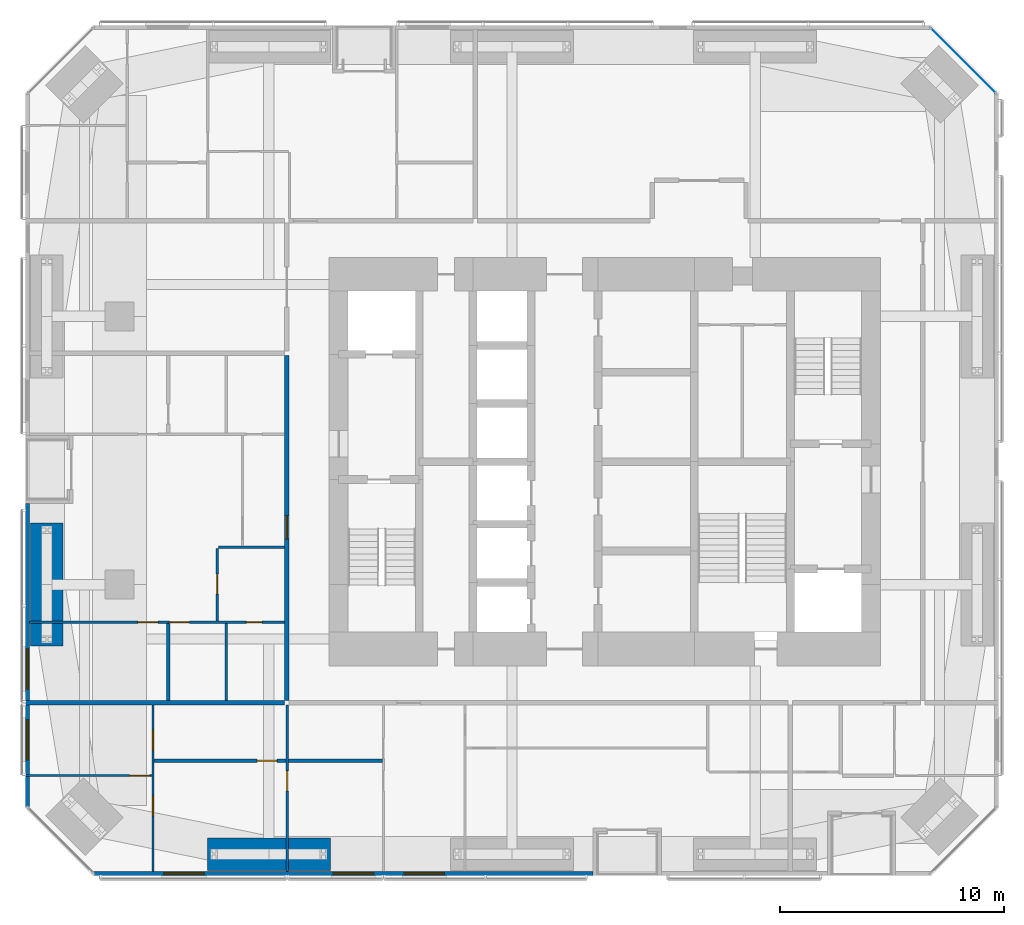
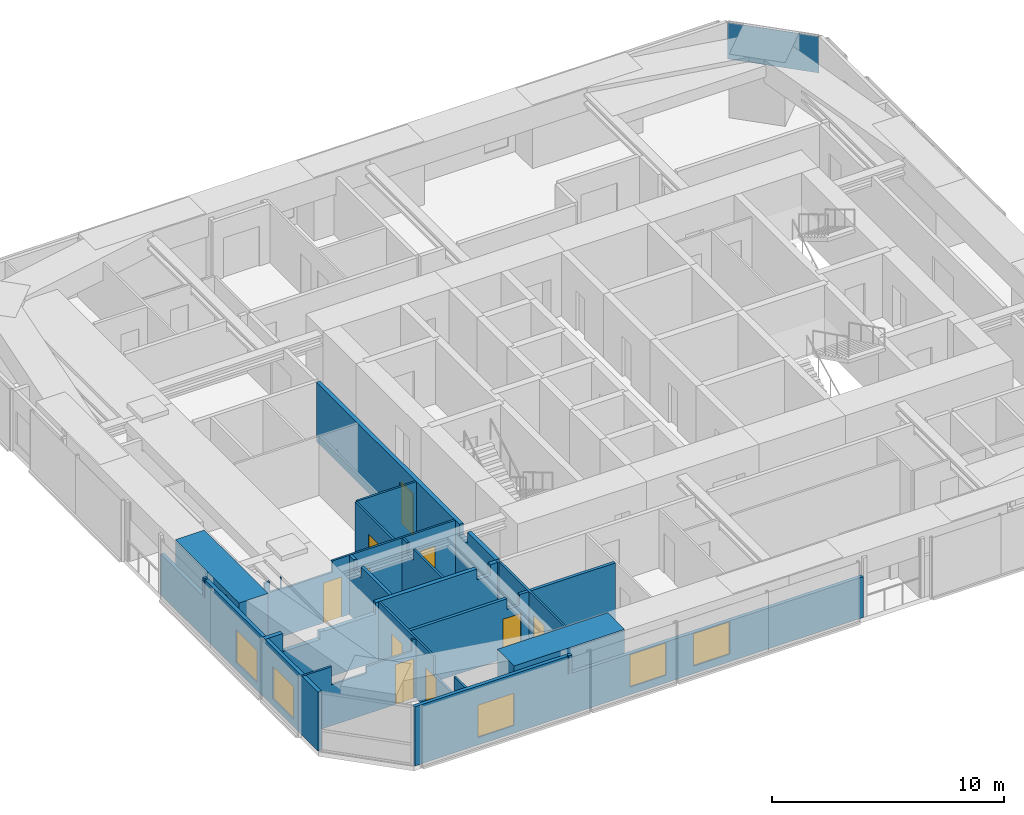
# One storey, part 17 of 24: 16 walls, 10 doors, 5 windows, 1 plate, 15 openings, 1 element without a shape of its own.
"""IFC4 building model written with IfcOpenShell, lengths in metres."""

from ifc_helpers import new_model, si_unit, direction, frame, frame_2d, origin, origin_2d, place, context, subcontext, project, spatial, polyline, rectangle, outline, extrude, material, layer, layer_set, constituent, constituent_set, type_object, element, fill, aggregate, save


model = new_model("IFC4")

# Units and contexts
model_context = context("Model", 3, precision=1e-05, world=origin(), true_north=direction((0.0, 1.0)))
body_context = subcontext(model_context, "Body", "Model", "MODEL_VIEW")
ifc_project = project(units=[si_unit("LENGTHUNIT", "METRE"), si_unit("AREAUNIT", "SQUARE_METRE"), si_unit("VOLUMEUNIT", "CUBIC_METRE"), si_unit("PLANEANGLEUNIT", "RADIAN"), si_unit("MASSUNIT", "GRAM", prefix="KILO")], contexts=[model_context])

# Site, building, storey
site_placement = place(None, origin())
site = spatial("IfcSite", under=ifc_project, at=site_placement, CompositionType="ELEMENT")
building_placement = place(site_placement, origin())
building = spatial("IfcBuilding", under=site, at=building_placement, Name="Jalousie Tower", CompositionType="ELEMENT")
storey_placement = place(building_placement, frame((0.0, 0.0, 135.0)))
storey = spatial("IfcBuildingStorey", under=building, at=storey_placement, Name="L37", CompositionType="ELEMENT", Elevation=135.0)

# Curtain wall, plate
ifc_material_1 = material(Name="Aluminium curtain wall", Category="aluminium")
curtain_wall_type = type_object("IfcCurtainWallType", Name="CORNER WINDOW WALL", PredefinedType="USERDEFINED", material=ifc_material_1)
curtain_wall_placement = place(storey_placement, origin())
curtain_wall = element("IfcCurtainWall", 1, at=curtain_wall_placement, inside=storey, type_object=curtain_wall_type, Name="Corner Window Wall L37 4", ObjectType="CORNER WINDOW WALL", PredefinedType="USERDEFINED")
ifc_material_2 = material(Name="Laminated impact-rated spandrel glass", Category="glass")
ifc_layer_1 = layer(ifc_material_2, 0.028076171875)
ifc_layer_set_1 = layer_set([ifc_layer_1], Name="Laminated impact-rated spandrel glass")
plate_type = type_object("IfcPlateType", Name="CORNER WINDOW WALL PANEL", PredefinedType="CURTAIN_PANEL", material=ifc_layer_set_1)
plate_placement = place(storey_placement, frame((47.9306640625, 36.4306640625, 1.130126953125), z_axis=(0.0, 0.0, 1.0), x_axis=(-0.707106781187, 0.707106781187, 0.0)))
plate = element("IfcPlate", 2, at=plate_placement, type_object=plate_type, Name="CW-C panel 1.2", PredefinedType="CURTAIN_PANEL", context=body_context, shape_type="SweptSolid", body=[
    extrude(rectangle(XDim=4.071533203125, YDim=0.028076171875, at=origin_2d()), origin(), (0.0, 0.0, 1.0), 1.919921875),
])
aggregate(curtain_wall, [plate])

# Wall, opening, door
ifc_material_3 = material(Name="Concrete block ASTM C90", Category="concrete")
ifc_constituent_1 = constituent(ifc_material_3, Name="Body")
ifc_material_4 = material(Name="Render")
ifc_constituent_2 = constituent(ifc_material_4, Name="Finish")
ifc_constituent_set_1 = constituent_set(constituents=[ifc_constituent_1, ifc_constituent_2])
wall_type_1 = type_object("IfcWallType", Name="BATHROOM WALL 150", PredefinedType="PLUMBINGWALL", material=ifc_constituent_set_1)
wall_1_placement = place(storey_placement, frame((11.75, 5.125, 0.0), z_axis=(0.0, 0.0, 1.0), x_axis=(1.0, 0.0, 0.0)))
wall_1 = element("IfcWall", 3, at=wall_1_placement, inside=storey, type_object=wall_type_1, Name="Bathroom Wall 150 L37", PredefinedType="PLUMBINGWALL", context=body_context, shape_type="SweptSolid", body=[
    extrude(outline(polyline([(0.0, 0.0), (5.89990234375, 0.0), (5.89990234375, 3.110107421875), (5.4375, 3.110107421875), (5.4375, 2.541015625), (4.8125, 2.541015625), (4.8125, 3.110107421875), (0.0, 3.110107421875), (0.0, 0.0)])), frame((0.0, 0.074951171875, 0.0), z_axis=(0.0, -1.0, 0.0), x_axis=(1.0, 0.0, 0.0)), (0.0, 0.0, 1.0), 0.14990234375),
])
opening_1_placement = place(wall_1_placement, frame((4.60009765625, 0.0, 0.0)))
opening_1 = element("IfcOpeningElement", 4, at=opening_1_placement, cuts=wall_1, Name="Opening D3", PredefinedType="OPENING", context=body_context, shape_type="SweptSolid", body=[
    extrude(rectangle(XDim=0.89990234375, YDim=2.10009765625, at=frame_2d((0.449951171875, 1.050048828125))), frame((0.0, 0.0849609375, 0.0), z_axis=(0.0, -1.0, 0.0), x_axis=(1.0, 0.0, 0.0)), (0.0, 0.0, 1.0), 0.169921875),
])
ifc_material_5 = material(Name="Timber door", Category="wood")
door_type_1 = type_object("IfcDoorType", Name="BATHROOM DOOR 900", OperationType="SINGLE_SWING_LEFT", PredefinedType="DOOR", material=ifc_material_5)
door_1_placement = place(opening_1_placement, origin())
door_1 = element("IfcDoor", 5, at=door_1_placement, inside=storey, type_object=door_type_1, Name="Apartment 3701 bedroom 2 bathroom door", OperationType="SINGLE_SWING_RIGHT", OverallHeight=2.10009765625, OverallWidth=0.89990234375, PredefinedType="DOOR", context=body_context, shape_type="SweptSolid", body=[
    extrude(rectangle(XDim=0.89990234375, YDim=2.10009765625, at=frame_2d((0.449951171875, 1.050048828125))), frame((0.0, 0.02490234375, 0.0), z_axis=(0.0, -1.0, 0.0), x_axis=(1.0, 0.0, 0.0)), (0.0, 0.0, 1.0), 0.050048828125),
])
fill(opening_1, door_1)

# Walls
wall_2_placement = place(storey_placement, frame((17.75, 5.125, 0.0), z_axis=(0.0, 0.0, 1.0), x_axis=(1.0, 0.0, 0.0)))
element("IfcWall", 6, at=wall_2_placement, inside=storey, type_object=wall_type_1, Name="Bathroom Wall 150 L37", PredefinedType="PLUMBINGWALL", context=body_context, shape_type="SweptSolid", body=[
    extrude(rectangle(XDim=4.199951171875, YDim=0.14990234375, at=frame_2d((2.10009765625, 0.0))), origin(), (0.0, 0.0, 1.0), 3.110107421875),
])
wall_3_placement = place(storey_placement, frame((12.375, 7.824951171875, 0.0), z_axis=(0.0, 0.0, 1.0), x_axis=(0.0, 1.0, 0.0)))
element("IfcWall", 7, at=wall_3_placement, inside=storey, type_object=wall_type_1, Name="Bathroom Wall 150 L37", PredefinedType="PLUMBINGWALL", context=body_context, shape_type="SweptSolid", body=[
    extrude(outline(polyline([(0.0, 0.0), (3.449951171875, 0.0), (3.449951171875, 3.110107421875), (3.0625, 3.110107421875), (3.0625, 2.541015625), (2.4375, 2.541015625), (2.4375, 3.110107421875), (0.0, 3.110107421875), (0.0, 0.0)])), frame((0.0, 0.074951171875, 0.0), z_axis=(0.0, -1.0, 0.0), x_axis=(1.0, 0.0, 0.0)), (0.0, 0.0, 1.0), 0.14990234375),
])

# Wall, opening, door
ifc_material_6 = material(Name="Concrete block ASTM C90", Category="concrete")
ifc_constituent_3 = constituent(ifc_material_6, Name="Body")
ifc_material_7 = material(Name="Render")
ifc_constituent_4 = constituent(ifc_material_7, Name="Finish")
ifc_constituent_set_2 = constituent_set(constituents=[ifc_constituent_3, ifc_constituent_4])
wall_type_2 = type_object("IfcWallType", Name="CORRIDOR WALL 200", PredefinedType="PARTITIONING", material=ifc_constituent_set_2)
wall_4_placement = place(storey_placement, frame((17.675048828125, 7.824951171875, 0.0), z_axis=(0.0, 0.0, 1.0), x_axis=(0.0, 1.0, 0.0)))
wall_4 = element("IfcWall", 8, at=wall_4_placement, inside=storey, type_object=wall_type_2, Name="Corridor Wall 200 L37", PredefinedType="PARTITIONING", context=body_context, shape_type="SweptSolid", body=[
    extrude(outline(polyline([(0.0, 0.0), (15.425048828125, 0.0), (15.425048828125, 3.110107421875), (3.08740234375, 3.110107421875), (3.08740234375, 2.541015625), (2.41259765625, 2.541015625), (2.41259765625, 3.110107421875), (0.0, 3.110107421875), (0.0, 0.0)])), frame((0.0, 0.10009765625, 0.0), z_axis=(0.0, -1.0, 0.0), x_axis=(1.0, 0.0, 0.0)), (0.0, 0.0, 1.0), 0.199951171875),
])
opening_2_placement = place(wall_4_placement, frame((7.21240234375, 0.0, 0.0)))
opening_2 = element("IfcOpeningElement", 9, at=opening_2_placement, cuts=wall_4, Name="Opening D1", PredefinedType="OPENING", context=body_context, shape_type="SweptSolid", body=[
    extrude(rectangle(XDim=1.050048828125, YDim=2.199951171875, at=frame_2d((0.52490234375, 1.10009765625))), frame((0.0, 0.10986328125, 0.0), z_axis=(0.0, -1.0, 0.0), x_axis=(1.0, 0.0, 0.0)), (0.0, 0.0, 1.0), 0.219970703125),
])
ifc_material_8 = material(Name="Timber fire door", Category="wood")
door_type_2 = type_object("IfcDoorType", Name="APARTMENT ENTRANCE DOOR 1050", OperationType="SINGLE_SWING_LEFT", PredefinedType="DOOR", material=ifc_material_8)
door_2_placement = place(opening_2_placement, origin())
door_2 = element("IfcDoor", 10, at=door_2_placement, inside=storey, type_object=door_type_2, Name="Apartment 3704 entrance", OperationType="SINGLE_SWING_LEFT", OverallHeight=2.199951171875, OverallWidth=1.050048828125, PredefinedType="DOOR", context=body_context, shape_type="SweptSolid", body=[
    extrude(rectangle(XDim=1.050048828125, YDim=2.199951171875, at=frame_2d((0.52490234375, 1.10009765625))), frame((0.0, 0.02490234375, 0.0), z_axis=(0.0, -1.0, 0.0), x_axis=(1.0, 0.0, 0.0)), (0.0, 0.0, 1.0), 0.050048828125),
])
fill(opening_2, door_2)

# Wall, openings, windows
ifc_material_9 = material(Name="Concrete f'c 40 MPa", Category="concrete")
ifc_constituent_5 = constituent(ifc_material_9, Name="Body")
ifc_material_10 = material(Name="Render, pastel sea green")
ifc_constituent_6 = constituent(ifc_material_10, Name="Finish")
ifc_constituent_set_3 = constituent_set(constituents=[ifc_constituent_5, ifc_constituent_6])
wall_type_3 = type_object("IfcWallType", Name="EXTERNAL WALL 175 SEA GREEN RENDER", PredefinedType="SOLIDWALL", material=ifc_constituent_set_3)
wall_5_placement = place(storey_placement, frame((9.05126953125, 0.08740234375, 0.0), z_axis=(0.0, 0.0, 1.0), x_axis=(1.0, 0.0, 0.0)))
wall_5 = element("IfcWall", 11, at=wall_5_placement, inside=storey, type_object=wall_type_3, Name="External Wall 175 Sea Green Render L37", PredefinedType="SOLIDWALL", context=body_context, shape_type="SweptSolid", body=[
    extrude(outline(polyline([(0.0, 0.0), (22.32373046875, 0.0), (22.32373046875, 2.14990234375), (7.82373046875, 2.14990234375), (7.82373046875, 3.110107421875), (7.66552734375, 3.110107421875), (7.66552734375, 2.14990234375), (7.620361328125, 2.14990234375), (7.620361328125, 3.110107421875), (0.0, 3.110107421875), (0.0, 0.0)])), frame((0.0, 0.08740234375, 0.0), z_axis=(0.0, -1.0, 0.0), x_axis=(1.0, 0.0, 0.0)), (0.0, 0.0, 1.0), 0.175048828125),
])
opening_3_placement = place(wall_5_placement, frame((3.1337890625, 0.0, 0.39990234375)))
opening_3 = element("IfcOpeningElement", 12, at=opening_3_placement, cuts=wall_5, Name="Opening W-BED170", PredefinedType="OPENING", context=body_context, shape_type="SweptSolid", body=[
    extrude(rectangle(XDim=1.800048828125, YDim=1.699951171875, at=frame_2d((0.89990234375, 0.85009765625))), frame((0.0, 0.097412109375, 0.0), z_axis=(0.0, -1.0, 0.0), x_axis=(1.0, 0.0, 0.0)), (0.0, 0.0, 1.0), 0.195068359375),
])
opening_4_placement = place(wall_5_placement, frame((10.706298828125, 0.0, 0.39990234375)))
opening_4 = element("IfcOpeningElement", 13, at=opening_4_placement, cuts=wall_5, Name="Opening W-BED170", PredefinedType="OPENING", context=body_context, shape_type="SweptSolid", body=[
    extrude(rectangle(XDim=1.800048828125, YDim=1.699951171875, at=frame_2d((0.89990234375, 0.85009765625))), frame((0.0, 0.097412109375, 0.0), z_axis=(0.0, -1.0, 0.0), x_axis=(1.0, 0.0, 0.0)), (0.0, 0.0, 1.0), 0.195068359375),
])
opening_5_placement = place(wall_5_placement, frame((13.873779296875, 0.0, 0.39990234375)))
opening_5 = element("IfcOpeningElement", 14, at=opening_5_placement, cuts=wall_5, Name="Opening W-BED170", PredefinedType="OPENING", context=body_context, shape_type="SweptSolid", body=[
    extrude(rectangle(XDim=1.800048828125, YDim=1.699951171875, at=frame_2d((0.89990234375, 0.85009765625))), frame((0.0, 0.097412109375, 0.0), z_axis=(0.0, -1.0, 0.0), x_axis=(1.0, 0.0, 0.0)), (0.0, 0.0, 1.0), 0.195068359375),
])
ifc_material_11 = material(Name="Aluminium frame, impact-rated glazing", Category="aluminium")
window_type = type_object("IfcWindowType", Name="WINDOW BED 1800x1700", PartitioningType="SINGLE_PANEL", PredefinedType="WINDOW", material=ifc_material_11)
window_1_placement = place(opening_3_placement, origin())
window_1 = element("IfcWindow", 15, at=window_1_placement, inside=storey, type_object=window_type, Name="Apartment 3701 bedroom 2 window", OverallHeight=1.699951171875, OverallWidth=1.800048828125, PartitioningType="SINGLE_PANEL", PredefinedType="WINDOW", context=body_context, shape_type="SweptSolid", body=[
    extrude(rectangle(XDim=1.800048828125, YDim=1.699951171875, at=frame_2d((0.89990234375, 0.85009765625))), frame((0.0, 0.030029296875, 0.0), z_axis=(0.0, -1.0, 0.0), x_axis=(1.0, 0.0, 0.0)), (0.0, 0.0, 1.0), 0.06005859375),
])
fill(opening_3, window_1)
window_2_placement = place(opening_4_placement, origin())
window_2 = element("IfcWindow", 16, at=window_2_placement, inside=storey, type_object=window_type, Name="Apartment 3701 bedroom 3 window", OverallHeight=1.699951171875, OverallWidth=1.800048828125, PartitioningType="SINGLE_PANEL", PredefinedType="WINDOW", context=body_context, shape_type="SweptSolid", body=[
    extrude(rectangle(XDim=1.800048828125, YDim=1.699951171875, at=frame_2d((0.89990234375, 0.85009765625))), frame((0.0, 0.030029296875, 0.0), z_axis=(0.0, -1.0, 0.0), x_axis=(1.0, 0.0, 0.0)), (0.0, 0.0, 1.0), 0.06005859375),
])
fill(opening_4, window_2)
window_3_placement = place(opening_5_placement, origin())
window_3 = element("IfcWindow", 17, at=window_3_placement, inside=storey, type_object=window_type, Name="Apartment 3701 study window", OverallHeight=1.699951171875, OverallWidth=1.800048828125, PartitioningType="SINGLE_PANEL", PredefinedType="WINDOW", context=body_context, shape_type="SweptSolid", body=[
    extrude(rectangle(XDim=1.800048828125, YDim=1.699951171875, at=frame_2d((0.89990234375, 0.85009765625))), frame((0.0, 0.030029296875, 0.0), z_axis=(0.0, -1.0, 0.0), x_axis=(1.0, 0.0, 0.0)), (0.0, 0.0, 1.0), 0.06005859375),
])
fill(opening_5, window_3)

wall_6_placement = place(storey_placement, frame((6.08740234375, 16.625, 0.0), z_axis=(0.0, 0.0, 1.0), x_axis=(0.0, -1.0, 0.0)))
wall_6 = element("IfcWall", 18, at=wall_6_placement, inside=storey, type_object=wall_type_3, Name="External Wall 175 Sea Green Render L37", PredefinedType="SOLIDWALL", context=body_context, shape_type="SweptSolid", body=[
    extrude(outline(polyline([(0.0, 0.0), (13.57373046875, 0.0), (13.57373046875, 3.110107421875), (3.843505859375, 3.110107421875), (3.843505859375, 2.14990234375), (3.750732421875, 2.14990234375), (3.750732421875, 3.110107421875), (3.625, 3.110107421875), (3.625, 2.14990234375), (0.0, 2.14990234375), (0.0, 0.0)])), frame((0.0, 0.08740234375, 0.0), z_axis=(0.0, -1.0, 0.0), x_axis=(1.0, 0.0, 0.0)), (0.0, 0.0, 1.0), 0.175048828125),
])
opening_6_placement = place(wall_6_placement, frame((6.5, 0.0, 0.39990234375)))
opening_6 = element("IfcOpeningElement", 19, at=opening_6_placement, cuts=wall_6, Name="Opening W-BED170", PredefinedType="OPENING", context=body_context, shape_type="SweptSolid", body=[
    extrude(rectangle(XDim=1.800048828125, YDim=1.699951171875, at=frame_2d((0.89990234375, 0.85009765625))), frame((0.0, 0.097412109375, 0.0), z_axis=(0.0, -1.0, 0.0), x_axis=(1.0, 0.0, 0.0)), (0.0, 0.0, 1.0), 0.195068359375),
])
opening_7_placement = place(wall_6_placement, frame((9.655517578125, 0.0, 0.39990234375)))
opening_7 = element("IfcOpeningElement", 20, at=opening_7_placement, cuts=wall_6, Name="Opening W-BED170", PredefinedType="OPENING", context=body_context, shape_type="SweptSolid", body=[
    extrude(rectangle(XDim=1.800048828125, YDim=1.699951171875, at=frame_2d((0.89990234375, 0.85009765625))), frame((0.0, 0.097412109375, 0.0), z_axis=(0.0, -1.0, 0.0), x_axis=(1.0, 0.0, 0.0)), (0.0, 0.0, 1.0), 0.195068359375),
])
window_4_placement = place(opening_6_placement, origin())
window_4 = element("IfcWindow", 21, at=window_4_placement, inside=storey, type_object=window_type, Name="Apartment 3704 bedroom 1 window", OverallHeight=1.699951171875, OverallWidth=1.800048828125, PartitioningType="SINGLE_PANEL", PredefinedType="WINDOW", context=body_context, shape_type="SweptSolid", body=[
    extrude(rectangle(XDim=1.800048828125, YDim=1.699951171875, at=frame_2d((0.89990234375, 0.85009765625))), frame((0.0, 0.030029296875, 0.0), z_axis=(0.0, -1.0, 0.0), x_axis=(1.0, 0.0, 0.0)), (0.0, 0.0, 1.0), 0.06005859375),
])
fill(opening_6, window_4)
window_5_placement = place(opening_7_placement, origin())
window_5 = element("IfcWindow", 22, at=window_5_placement, inside=storey, type_object=window_type, Name="Apartment 3701 bedroom 1 window", OverallHeight=1.699951171875, OverallWidth=1.800048828125, PartitioningType="SINGLE_PANEL", PredefinedType="WINDOW", context=body_context, shape_type="SweptSolid", body=[
    extrude(rectangle(XDim=1.800048828125, YDim=1.699951171875, at=frame_2d((0.89990234375, 0.85009765625))), frame((0.0, 0.030029296875, 0.0), z_axis=(0.0, -1.0, 0.0), x_axis=(1.0, 0.0, 0.0)), (0.0, 0.0, 1.0), 0.06005859375),
])
fill(opening_7, window_5)

# Wall, openings, doors
ifc_material_12 = material(Name="Gypsum board", Category="gypsum")
ifc_constituent_7 = constituent(ifc_material_12, Name="Body")
ifc_material_13 = material(Name="Light-gauge steel studs ASTM A653 SS Grade 33", Category="steel")
ifc_constituent_8 = constituent(ifc_material_13, Name="Framing")
ifc_constituent_set_4 = constituent_set(constituents=[ifc_constituent_7, ifc_constituent_8])
wall_type_4 = type_object("IfcWallType", Name="PARTITION 100", PredefinedType="PARTITIONING", material=ifc_constituent_set_4)
wall_7_placement = place(storey_placement, frame((11.699951171875, 0.175048828125, 0.0), z_axis=(0.0, 0.0, 1.0), x_axis=(0.0, 1.0, 0.0)))
wall_7 = element("IfcWall", 23, at=wall_7_placement, inside=storey, type_object=wall_type_4, Name="Partition 100 L37", PredefinedType="PARTITIONING", context=body_context, shape_type="SweptSolid", body=[
    extrude(outline(polyline([(0.0, 0.0), (7.449951171875, 0.0), (7.449951171875, 3.110107421875), (2.708251953125, 3.110107421875), (2.708251953125, 2.14990234375), (0.952880859375, 2.14990234375), (0.952880859375, 3.110107421875), (0.0, 3.110107421875), (0.0, 0.0)])), frame((0.0, 0.050048828125, 0.0), z_axis=(0.0, -1.0, 0.0), x_axis=(1.0, 0.0, 0.0)), (0.0, 0.0, 1.0), 0.10009765625),
])
opening_8_placement = place(wall_7_placement, frame((2.48876953125, 0.0, 0.0)))
opening_8 = element("IfcOpeningElement", 24, at=opening_8_placement, cuts=wall_7, Name="Opening D2", PredefinedType="OPENING", context=body_context, shape_type="SweptSolid", body=[
    extrude(rectangle(XDim=0.89990234375, YDim=2.10009765625, at=frame_2d((0.449951171875, 1.050048828125))), frame((0.0, 0.06005859375, 0.0), z_axis=(0.0, -1.0, 0.0), x_axis=(1.0, 0.0, 0.0)), (0.0, 0.0, 1.0), 0.1201171875),
])
opening_9_placement = place(wall_7_placement, frame((5.41943359375, 0.0, 0.0)))
opening_9 = element("IfcOpeningElement", 25, at=opening_9_placement, cuts=wall_7, Name="Opening D3", PredefinedType="OPENING", context=body_context, shape_type="SweptSolid", body=[
    extrude(rectangle(XDim=0.89990234375, YDim=2.10009765625, at=frame_2d((0.449951171875, 1.050048828125))), frame((0.0, 0.06005859375, 0.0), z_axis=(0.0, -1.0, 0.0), x_axis=(1.0, 0.0, 0.0)), (0.0, 0.0, 1.0), 0.1201171875),
])
door_3_placement = place(opening_9_placement, frame((0.89990234375, 0.0, 0.0), z_axis=(0.0, 0.0, 1.0), x_axis=(-1.0, 0.0, 0.0)))
door_3 = element("IfcDoor", 26, at=door_3_placement, inside=storey, type_object=door_type_1, Name="Apartment 3701 bedroom 1 bathroom door", OperationType="SINGLE_SWING_RIGHT", OverallHeight=2.10009765625, OverallWidth=0.89990234375, PredefinedType="DOOR", context=body_context, shape_type="SweptSolid", body=[
    extrude(rectangle(XDim=0.89990234375, YDim=2.10009765625, at=frame_2d((0.449951171875, 1.050048828125))), frame((0.0, 0.02490234375, 0.0), z_axis=(0.0, -1.0, 0.0), x_axis=(1.0, 0.0, 0.0)), (0.0, 0.0, 1.0), 0.050048828125),
])
fill(opening_9, door_3)
ifc_material_14 = material(Name="Timber door", Category="wood")
door_type_3 = type_object("IfcDoorType", Name="BEDROOM DOOR 900", OperationType="SINGLE_SWING_LEFT", PredefinedType="DOOR", material=ifc_material_14)
door_4_placement = place(opening_8_placement, frame((0.89990234375, 0.0, 0.0), z_axis=(0.0, 0.0, 1.0), x_axis=(-1.0, 0.0, 0.0)))
door_4 = element("IfcDoor", 27, at=door_4_placement, inside=storey, type_object=door_type_3, Name="Apartment 3701 bedroom 1 door", OperationType="SINGLE_SWING_LEFT", OverallHeight=2.10009765625, OverallWidth=0.89990234375, PredefinedType="DOOR", context=body_context, shape_type="SweptSolid", body=[
    extrude(rectangle(XDim=0.89990234375, YDim=2.10009765625, at=frame_2d((0.449951171875, 1.050048828125))), frame((0.0, 0.02490234375, 0.0), z_axis=(0.0, -1.0, 0.0), x_axis=(1.0, 0.0, 0.0)), (0.0, 0.0, 1.0), 0.050048828125),
])
fill(opening_8, door_4)

# Wall, opening, door
wall_8_placement = place(storey_placement, frame((17.699951171875, 0.175048828125, 0.0), z_axis=(0.0, 0.0, 1.0), x_axis=(0.0, 1.0, 0.0)))
wall_8 = element("IfcWall", 28, at=wall_8_placement, inside=storey, type_object=wall_type_4, Name="Partition 100 L37", PredefinedType="PARTITIONING", context=body_context, shape_type="SweptSolid", body=[
    extrude(outline(polyline([(1.635009765625, 2.14990234375), (0.0, 2.14990234375), (0.0, 0.0), (7.449951171875, 0.0), (7.449951171875, 3.110107421875), (1.635009765625, 3.110107421875), (1.635009765625, 2.14990234375)]), holes=[polyline([(1.021240234375, 0.115966796875), (0.52880859375, 0.115966796875), (0.52880859375, 0.906005859375), (1.021240234375, 0.906005859375), (1.021240234375, 0.115966796875)]), polyline([(1.021240234375, 1.244140625), (0.52880859375, 1.244140625), (0.52880859375, 2.033935546875), (1.021240234375, 2.033935546875), (1.021240234375, 1.244140625)])]), frame((0.0, 0.050048828125, 0.0), z_axis=(0.0, -1.0, 0.0), x_axis=(1.0, 0.0, 0.0)), (0.0, 0.0, 1.0), 0.10009765625),
])
opening_10_placement = place(wall_8_placement, frame((3.60009765625, 0.0, 0.0)))
opening_10 = element("IfcOpeningElement", 29, at=opening_10_placement, cuts=wall_8, Name="Opening D2", PredefinedType="OPENING", context=body_context, shape_type="SweptSolid", body=[
    extrude(rectangle(XDim=0.89990234375, YDim=2.10009765625, at=frame_2d((0.449951171875, 1.050048828125))), frame((0.0, 0.06005859375, 0.0), z_axis=(0.0, -1.0, 0.0), x_axis=(1.0, 0.0, 0.0)), (0.0, 0.0, 1.0), 0.1201171875),
])
door_5_placement = place(opening_10_placement, origin())
door_5 = element("IfcDoor", 30, at=door_5_placement, inside=storey, type_object=door_type_3, Name="Apartment 3701 bedroom 2 door", OperationType="SINGLE_SWING_RIGHT", OverallHeight=2.10009765625, OverallWidth=0.89990234375, PredefinedType="DOOR", context=body_context, shape_type="SweptSolid", body=[
    extrude(rectangle(XDim=0.89990234375, YDim=2.10009765625, at=frame_2d((0.449951171875, 1.050048828125))), frame((0.0, 0.02490234375, 0.0), z_axis=(0.0, -1.0, 0.0), x_axis=(1.0, 0.0, 0.0)), (0.0, 0.0, 1.0), 0.050048828125),
])
fill(opening_10, door_5)

wall_9_placement = place(storey_placement, frame((6.0, 4.4638671875, 0.0), z_axis=(0.0, 0.0, 1.0), x_axis=(1.0, 0.0, 0.0)))
wall_9 = element("IfcWall", 31, at=wall_9_placement, inside=storey, type_object=wall_type_4, Name="Partition 100 L37", PredefinedType="PARTITIONING", context=body_context, shape_type="SweptSolid", body=[
    extrude(outline(polyline([(0.0, 0.0), (5.64990234375, 0.0), (5.64990234375, 3.110107421875), (5.4599609375, 3.110107421875), (5.4599609375, 2.510009765625), (3.20556640625, 2.510009765625), (3.20556640625, 2.14990234375), (1.462890625, 2.14990234375), (1.462890625, 3.110107421875), (0.0, 3.110107421875), (0.0, 0.0)])), frame((0.0, 0.050048828125, 0.0), z_axis=(0.0, -1.0, 0.0), x_axis=(1.0, 0.0, 0.0)), (0.0, 0.0, 1.0), 0.10009765625),
])
opening_11_placement = place(wall_9_placement, frame((4.64990234375, 0.0, 0.0)))
opening_11 = element("IfcOpeningElement", 32, at=opening_11_placement, cuts=wall_9, Name="Opening D7", PredefinedType="OPENING", context=body_context, shape_type="SweptSolid", body=[
    extrude(rectangle(XDim=0.89990234375, YDim=2.10009765625, at=frame_2d((0.449951171875, 1.050048828125))), frame((0.0, 0.06005859375, 0.0), z_axis=(0.0, -1.0, 0.0), x_axis=(1.0, 0.0, 0.0)), (0.0, 0.0, 1.0), 0.1201171875),
])
ifc_material_15 = material(Name="Timber door", Category="wood")
door_type_4 = type_object("IfcDoorType", Name="INTERNAL DOOR 900", OperationType="SINGLE_SWING_LEFT", PredefinedType="DOOR", material=ifc_material_15)
door_6_placement = place(opening_11_placement, origin())
door_6 = element("IfcDoor", 33, at=door_6_placement, inside=storey, type_object=door_type_4, Name="Apartment 3701 bedroom 1 dressing hall door", OperationType="SINGLE_SWING_RIGHT", OverallHeight=2.10009765625, OverallWidth=0.89990234375, PredefinedType="DOOR", context=body_context, shape_type="SweptSolid", body=[
    extrude(rectangle(XDim=0.89990234375, YDim=2.10009765625, at=frame_2d((0.449951171875, 1.050048828125))), frame((0.0, 0.02490234375, 0.0), z_axis=(0.0, -1.0, 0.0), x_axis=(1.0, 0.0, 0.0)), (0.0, 0.0, 1.0), 0.050048828125),
])
fill(opening_11, door_6)

# Wall, openings, doors
wall_10_placement = place(storey_placement, frame((6.175048828125, 11.324951171875, 0.0), z_axis=(0.0, 0.0, 1.0), x_axis=(1.0, 0.0, 0.0)))
wall_10 = element("IfcWall", 34, at=wall_10_placement, inside=storey, type_object=wall_type_4, Name="Partition 100 L37", PredefinedType="PARTITIONING", context=body_context, shape_type="SweptSolid", body=[
    extrude(outline(polyline([(0.17529296875, 3.110107421875), (0.0, 3.110107421875), (0.0, 0.0), (0.52880859375, 0.0), (0.52880859375, 0.32470703125), (1.021240234375, 0.32470703125), (1.021240234375, 0.0), (11.39990234375, 0.0), (11.39990234375, 3.110107421875), (5.284912109375, 3.110107421875), (5.284912109375, 2.510009765625), (2.764892578125, 2.510009765625), (2.764892578125, 3.110107421875), (2.74365234375, 3.110107421875), (2.74365234375, 2.541015625), (2.1689453125, 2.541015625), (2.1689453125, 3.110107421875), (1.91796875, 3.110107421875), (1.91796875, 2.14990234375), (1.021240234375, 2.14990234375), (1.021240234375, 1.8251953125), (0.52880859375, 1.8251953125), (0.52880859375, 2.14990234375), (0.17529296875, 2.14990234375), (0.17529296875, 3.110107421875)])), frame((0.0, 0.050048828125, 0.0), z_axis=(0.0, -1.0, 0.0), x_axis=(1.0, 0.0, 0.0)), (0.0, 0.0, 1.0), 0.10009765625),
])
opening_12_placement = place(wall_10_placement, frame((4.85009765625, 0.0, 0.0)))
opening_12 = element("IfcOpeningElement", 35, at=opening_12_placement, cuts=wall_10, Name="Opening D2", PredefinedType="OPENING", context=body_context, shape_type="SweptSolid", body=[
    extrude(rectangle(XDim=0.89990234375, YDim=2.10009765625, at=frame_2d((0.449951171875, 1.050048828125))), frame((0.0, 0.06005859375, 0.0), z_axis=(0.0, -1.0, 0.0), x_axis=(1.0, 0.0, 0.0)), (0.0, 0.0, 1.0), 0.1201171875),
])
opening_13_placement = place(wall_10_placement, frame((6.25, 0.0, 0.0)))
opening_13 = element("IfcOpeningElement", 36, at=opening_13_placement, cuts=wall_10, Name="Opening D7", PredefinedType="OPENING", context=body_context, shape_type="SweptSolid", body=[
    extrude(rectangle(XDim=0.89990234375, YDim=2.10009765625, at=frame_2d((0.449951171875, 1.050048828125))), frame((0.0, 0.06005859375, 0.0), z_axis=(0.0, -1.0, 0.0), x_axis=(1.0, 0.0, 0.0)), (0.0, 0.0, 1.0), 0.1201171875),
])
opening_14_placement = place(wall_10_placement, frame((9.699951171875, 0.0, 0.0)))
opening_14 = element("IfcOpeningElement", 37, at=opening_14_placement, cuts=wall_10, Name="Opening D4", PredefinedType="OPENING", context=body_context, shape_type="SweptSolid", body=[
    extrude(rectangle(XDim=0.699951171875, YDim=2.10009765625, at=frame_2d((0.35009765625, 1.050048828125))), frame((0.0, 0.06005859375, 0.0), z_axis=(0.0, -1.0, 0.0), x_axis=(1.0, 0.0, 0.0)), (0.0, 0.0, 1.0), 0.1201171875),
])
door_7_placement = place(opening_12_placement, frame((0.89990234375, 0.0, 0.0), z_axis=(0.0, 0.0, 1.0), x_axis=(-1.0, 0.0, 0.0)))
door_7 = element("IfcDoor", 38, at=door_7_placement, inside=storey, type_object=door_type_3, Name="Apartment 3704 bedroom 1 door", OperationType="SINGLE_SWING_LEFT", OverallHeight=2.10009765625, OverallWidth=0.89990234375, PredefinedType="DOOR", context=body_context, shape_type="SweptSolid", body=[
    extrude(rectangle(XDim=0.89990234375, YDim=2.10009765625, at=frame_2d((0.449951171875, 1.050048828125))), frame((0.0, 0.02490234375, 0.0), z_axis=(0.0, -1.0, 0.0), x_axis=(1.0, 0.0, 0.0)), (0.0, 0.0, 1.0), 0.050048828125),
])
fill(opening_12, door_7)
door_8_placement = place(opening_13_placement, frame((0.89990234375, 0.0, 0.0), z_axis=(0.0, 0.0, 1.0), x_axis=(-1.0, 0.0, 0.0)))
door_8 = element("IfcDoor", 39, at=door_8_placement, inside=storey, type_object=door_type_4, Name="Apartment 3704 bathroom door", OperationType="SINGLE_SWING_RIGHT", OverallHeight=2.10009765625, OverallWidth=0.89990234375, PredefinedType="DOOR", context=body_context, shape_type="SweptSolid", body=[
    extrude(rectangle(XDim=0.89990234375, YDim=2.10009765625, at=frame_2d((0.449951171875, 1.050048828125))), frame((0.0, 0.02490234375, 0.0), z_axis=(0.0, -1.0, 0.0), x_axis=(1.0, 0.0, 0.0)), (0.0, 0.0, 1.0), 0.050048828125),
])
fill(opening_13, door_8)
ifc_material_16 = material(Name="Timber door", Category="wood")
door_type_5 = type_object("IfcDoorType", Name="STORE DOOR 700", OperationType="SINGLE_SWING_LEFT", PredefinedType="DOOR", material=ifc_material_16)
door_9_placement = place(opening_14_placement, frame((0.699951171875, 0.0, 0.0), z_axis=(0.0, 0.0, 1.0), x_axis=(-1.0, 0.0, 0.0)))
door_9 = element("IfcDoor", 40, at=door_9_placement, inside=storey, type_object=door_type_5, Name="Apartment 3704 store door", OperationType="SINGLE_SWING_RIGHT", OverallHeight=2.10009765625, OverallWidth=0.699951171875, PredefinedType="DOOR", context=body_context, shape_type="SweptSolid", body=[
    extrude(rectangle(XDim=0.699951171875, YDim=2.10009765625, at=frame_2d((0.35009765625, 1.050048828125))), frame((0.0, 0.02490234375, 0.0), z_axis=(0.0, -1.0, 0.0), x_axis=(1.0, 0.0, 0.0)), (0.0, 0.0, 1.0), 0.050048828125),
])
fill(opening_14, door_9)

# Wall
wall_11_placement = place(storey_placement, frame((14.97509765625, 7.824951171875, 0.0), z_axis=(0.0, 0.0, 1.0), x_axis=(0.0, 1.0, 0.0)))
element("IfcWall", 41, at=wall_11_placement, inside=storey, type_object=wall_type_4, Name="Partition 100 L37", PredefinedType="PARTITIONING", context=body_context, shape_type="SweptSolid", body=[
    extrude(outline(polyline([(0.0, 0.0), (3.449951171875, 0.0), (3.449951171875, 3.110107421875), (3.037353515625, 3.110107421875), (3.037353515625, 2.541015625), (2.462646484375, 2.541015625), (2.462646484375, 3.110107421875), (0.0, 3.110107421875), (0.0, 0.0)])), frame((0.0, 0.050048828125, 0.0), z_axis=(0.0, -1.0, 0.0), x_axis=(1.0, 0.0, 0.0)), (0.0, 0.0, 1.0), 0.10009765625),
])

# Wall, opening, door
wall_12_placement = place(storey_placement, frame((14.574951171875, 11.375, 0.0), z_axis=(0.0, 0.0, 1.0), x_axis=(0.0, 1.0, 0.0)))
wall_12 = element("IfcWall", 42, at=wall_12_placement, inside=storey, type_object=wall_type_4, Name="Partition 100 L37", PredefinedType="PARTITIONING", context=body_context, shape_type="SweptSolid", body=[
    extrude(rectangle(XDim=3.25, YDim=0.10009765625, at=frame_2d((1.625, 0.0))), origin(), (0.0, 0.0, 1.0), 3.110107421875),
])
opening_15_placement = place(wall_12_placement, frame((1.199951171875, 0.0, 0.0)))
opening_15 = element("IfcOpeningElement", 43, at=opening_15_placement, cuts=wall_12, Name="Opening D7", PredefinedType="OPENING", context=body_context, shape_type="SweptSolid", body=[
    extrude(rectangle(XDim=0.89990234375, YDim=2.10009765625, at=frame_2d((0.449951171875, 1.050048828125))), frame((0.0, 0.06005859375, 0.0), z_axis=(0.0, -1.0, 0.0), x_axis=(1.0, 0.0, 0.0)), (0.0, 0.0, 1.0), 0.1201171875),
])
door_10_placement = place(opening_15_placement, origin())
door_10 = element("IfcDoor", 44, at=door_10_placement, inside=storey, type_object=door_type_4, Name="Apartment 3704 kitchen door", OperationType="SINGLE_SWING_LEFT", OverallHeight=2.10009765625, OverallWidth=0.89990234375, PredefinedType="DOOR", context=body_context, shape_type="SweptSolid", body=[
    extrude(rectangle(XDim=0.89990234375, YDim=2.10009765625, at=frame_2d((0.449951171875, 1.050048828125))), frame((0.0, 0.02490234375, 0.0), z_axis=(0.0, -1.0, 0.0), x_axis=(1.0, 0.0, 0.0)), (0.0, 0.0, 1.0), 0.050048828125),
])
fill(opening_15, door_10)

# Walls
wall_13_placement = place(storey_placement, frame((14.625, 14.675048828125, 0.0), z_axis=(0.0, 0.0, 1.0), x_axis=(1.0, 0.0, 0.0)))
element("IfcWall", 45, at=wall_13_placement, inside=storey, type_object=wall_type_4, Name="Partition 100 L37", PredefinedType="PARTITIONING", context=body_context, shape_type="SweptSolid", body=[
    extrude(rectangle(XDim=2.949951171875, YDim=0.10009765625, at=frame_2d((1.47509765625, 0.0))), origin(), (0.0, 0.0, 1.0), 3.110107421875),
])
ifc_material_17 = material(Name="Concrete block ASTM C90", Category="concrete")
ifc_constituent_9 = constituent(ifc_material_17, Name="Body")
ifc_material_18 = material(Name="Render")
ifc_constituent_10 = constituent(ifc_material_18, Name="Finish")
ifc_constituent_set_5 = constituent_set(constituents=[ifc_constituent_9, ifc_constituent_10])
wall_type_5 = type_object("IfcWallType", Name="PARTY WALL 200", PredefinedType="PARTITIONING", material=ifc_constituent_set_5)
wall_14_placement = place(storey_placement, frame((6.0, 7.72509765625, 0.0), z_axis=(0.0, 0.0, 1.0), x_axis=(1.0, 0.0, 0.0)))
element("IfcWall", 46, at=wall_14_placement, inside=storey, type_object=wall_type_5, Name="Party Wall 200 L37", PredefinedType="PARTITIONING", context=body_context, shape_type="SweptSolid", body=[
    extrude(outline(polyline([(0.0, 0.0), (11.574951171875, 0.0), (11.574951171875, 3.110107421875), (11.21240234375, 3.110107421875), (11.21240234375, 2.541015625), (10.53759765625, 2.541015625), (10.53759765625, 3.110107421875), (5.510009765625, 3.110107421875), (5.510009765625, 2.510009765625), (2.96875, 2.510009765625), (2.96875, 2.541015625), (2.727294921875, 2.541015625), (2.727294921875, 2.14990234375), (0.883544921875, 2.14990234375), (0.883544921875, 3.110107421875), (0.0, 3.110107421875), (0.0, 0.0)])), frame((0.0, 0.10009765625, 0.0), z_axis=(0.0, -1.0, 0.0), x_axis=(1.0, 0.0, 0.0)), (0.0, 0.0, 1.0), 0.199951171875),
])
ifc_material_19 = material(Name="Concrete f'c 120 MPa", Category="concrete")
ifc_layer_2 = layer(ifc_material_19, 1.449951171875)
ifc_layer_set_2 = layer_set([ifc_layer_2], Name="Concrete f'c 120 MPa")
wall_type_6 = type_object("IfcWallType", Name="RC WALL PIER 1450", PredefinedType="SHEAR", material=ifc_layer_set_2)
for number, where, z_axis, x_axis, name in (
    (47, (14.125, 0.949951171875, 0.0), (0.0, 0.0, 1.0), (1.0, 0.0, 0.0), "Wall pier 02 L37"),
    (48, (6.949951171875, 10.25, 0.0), (0.0, 0.0, 1.0), (0.0, 1.0, 0.0), "Wall pier 14 L37"),
):
    element("IfcWall", number, at=place(storey_placement, frame(where, z_axis=z_axis, x_axis=x_axis)), inside=storey, type_object=wall_type_6, Name=name, PredefinedType="SHEAR", context=body_context, shape_type="SweptSolid", body=[
        extrude(rectangle(XDim=5.5, YDim=1.449951171875, at=frame_2d((2.75, 0.0))), origin(), (0.0, 0.0, 1.0), 3.35009765625),
    ])

save(model, "model.ifc")
